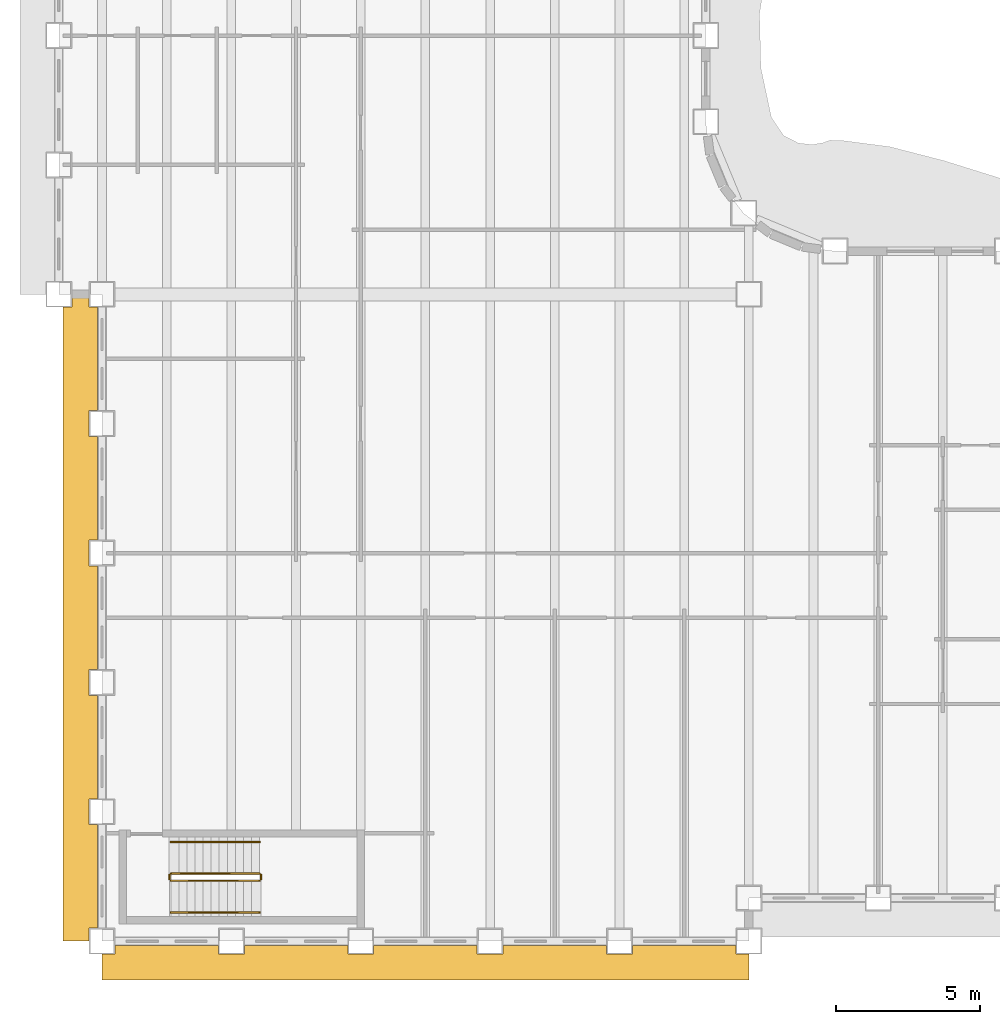
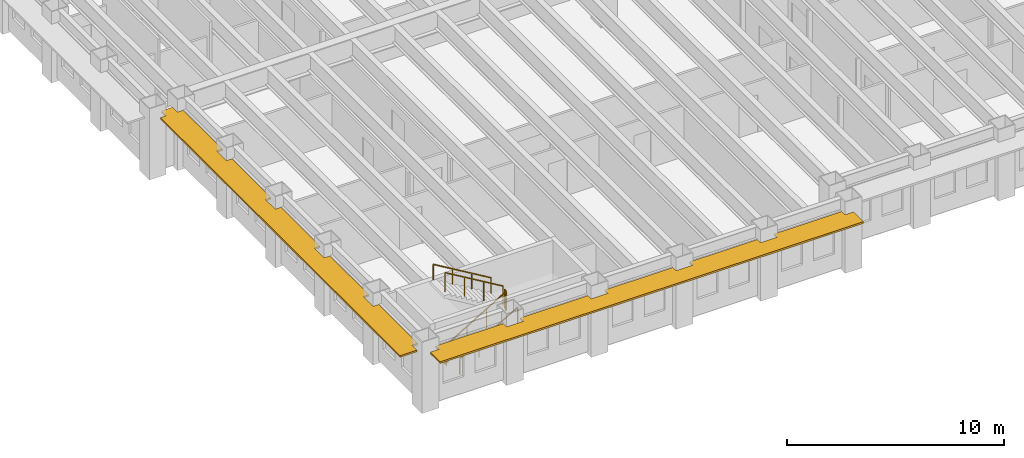
# One storey, part 11 of 16: 6 railings, 2 shading devices.
"""IFC4 building model written with IfcOpenShell, lengths in metres."""

from ifc_helpers import new_model, si_unit, direction, frame, origin, origin_2d, place, context, subcontext, project, spatial, polyline, rectangle, outline, extrude, material, layer, layer_set, type_object, element, save


model = new_model("IFC4")

# Units and contexts
model_context = context("Model", 3, precision=1e-05, world=origin(), true_north=direction((0.0, 1.0)))
body_context = subcontext(model_context, "Body", "Model", "MODEL_VIEW")
ifc_project = project(units=[si_unit("LENGTHUNIT", "METRE"), si_unit("AREAUNIT", "SQUARE_METRE"), si_unit("VOLUMEUNIT", "CUBIC_METRE"), si_unit("PLANEANGLEUNIT", "RADIAN"), si_unit("MASSUNIT", "GRAM", prefix="KILO")], contexts=[model_context])

# Site, building, storey
site_placement = place(None, origin())
site = spatial("IfcSite", under=ifc_project, at=site_placement, CompositionType="ELEMENT")
building_placement = place(site_placement, origin())
building = spatial("IfcBuilding", under=site, at=building_placement, Name="Sennacour Bend Tower", CompositionType="ELEMENT")
storey_placement = place(building_placement, frame((0.0, 0.0, 171.0)))
storey = spatial("IfcBuildingStorey", under=building, at=storey_placement, Name="L39", CompositionType="ELEMENT", Elevation=171.0)

# Railings
ifc_material_1 = material(Name="Stainless steel", Category="steel")
railing_type_1 = type_object("IfcRailingType", Name="RL-GUARD-1100", PredefinedType="GUARDRAIL", material=ifc_material_1)
railing_1_placement = place(storey_placement, frame((2.39990234375, 2.10009765625, 0.166748046875)))
element("IfcRailing", 1, at=railing_1_placement, inside=storey, type_object=railing_type_1, Name="L39 SK1 stair guard 1", PredefinedType="GUARDRAIL", context=body_context, shape_type="SweptSolid", body=[
    extrude(rectangle(XDim=0.048095703125, YDim=0.048095703125, at=origin_2d()), frame((0.0, 0.0, 1.076171875), z_axis=(0.859308565015, 0.0, 0.511457515432), x_axis=(0.0, 1.0, 0.0)), (0.0, 0.0, 1.0), 3.58447265625),
    extrude(rectangle(XDim=0.0419921875, YDim=0.0419921875, at=origin_2d()), origin(), (0.0, 0.0, 1.0), 1.052001953125),
    extrude(rectangle(XDim=0.0419921875, YDim=0.0419921875, at=origin_2d()), frame((1.026611328125, 0.0, 0.611083984375)), (0.0, 0.0, 1.0), 1.052001953125),
    extrude(rectangle(XDim=0.0419921875, YDim=0.0419921875, at=origin_2d()), frame((2.053466796875, 0.0, 1.22216796875)), (0.0, 0.0, 1.0), 1.052001953125),
    extrude(rectangle(XDim=0.0419921875, YDim=0.0419921875, at=origin_2d()), frame((3.080078125, 0.0, 1.833251953125)), (0.0, 0.0, 1.0), 1.052001953125),
])
railing_2_placement = place(storey_placement, frame((5.530029296875, 2.14990234375, 2.0)))
element("IfcRailing", 2, at=railing_2_placement, inside=storey, type_object=railing_type_1, Name="L39 SK1 stair guard 2", PredefinedType="GUARDRAIL", context=body_context, shape_type="SweptSolid", body=[
    extrude(rectangle(XDim=0.048095703125, YDim=0.048095703125, at=origin_2d()), frame((0.0, 0.0, 1.076171875), z_axis=(0.0, 1.0, 0.0), x_axis=(-1.0, 0.0, 0.0)), (0.0, 0.0, 1.0), 0.150146484375),
    extrude(rectangle(XDim=0.0419921875, YDim=0.0419921875, at=origin_2d()), origin(), (0.0, 0.0, 1.0), 1.052001953125),
    extrude(rectangle(XDim=0.0419921875, YDim=0.0419921875, at=origin_2d()), frame((0.0, 0.150146484375, 0.0)), (0.0, 0.0, 1.0), 1.052001953125),
])
railing_3_placement = place(storey_placement, frame((5.47998046875, 2.35009765625, 2.166748046875)))
element("IfcRailing", 3, at=railing_3_placement, inside=storey, type_object=railing_type_1, Name="L39 SK1 stair guard 3", PredefinedType="GUARDRAIL", context=body_context, shape_type="SweptSolid", body=[
    extrude(rectangle(XDim=0.048095703125, YDim=0.048095703125, at=origin_2d()), frame((0.0, 0.0, 1.076171875), z_axis=(-0.859308565015, 0.0, 0.511457515432), x_axis=(0.0, -1.0, 0.0)), (0.0, 0.0, 1.0), 3.58447265625),
    extrude(rectangle(XDim=0.0419921875, YDim=0.0419921875, at=origin_2d()), origin(), (0.0, 0.0, 1.0), 1.052001953125),
    extrude(rectangle(XDim=0.0419921875, YDim=0.0419921875, at=origin_2d()), frame((-1.026611328125, 0.0, 0.611083984375)), (0.0, 0.0, 1.0), 1.052001953125),
    extrude(rectangle(XDim=0.0419921875, YDim=0.0419921875, at=origin_2d()), frame((-2.053466796875, 0.0, 1.22216796875)), (0.0, 0.0, 1.0), 1.052001953125),
    extrude(rectangle(XDim=0.0419921875, YDim=0.0419921875, at=origin_2d()), frame((-3.080078125, 0.0, 1.833251953125)), (0.0, 0.0, 1.0), 1.052001953125),
])
railing_4_placement = place(storey_placement, frame((2.35009765625, 2.14990234375, 0.0)))
element("IfcRailing", 4, at=railing_4_placement, inside=storey, type_object=railing_type_1, Name="L39 SK1 stair guard 4", PredefinedType="GUARDRAIL", context=body_context, shape_type="SweptSolid", body=[
    extrude(rectangle(XDim=0.048095703125, YDim=0.048095703125, at=origin_2d()), frame((0.0, 0.0, 1.076171875), z_axis=(0.0, 1.0, 0.0), x_axis=(-1.0, 0.0, 0.0)), (0.0, 0.0, 1.0), 0.150146484375),
    extrude(rectangle(XDim=0.0419921875, YDim=0.0419921875, at=origin_2d()), origin(), (0.0, 0.0, 1.0), 1.052001953125),
    extrude(rectangle(XDim=0.0419921875, YDim=0.0419921875, at=origin_2d()), frame((0.0, 0.150146484375, 0.0)), (0.0, 0.0, 1.0), 1.052001953125),
])
railing_type_2 = type_object("IfcRailingType", Name="RL-HANDRAIL-900", PredefinedType="HANDRAIL", material=ifc_material_1)
railing_5_placement = place(storey_placement, frame((2.39990234375, 1.0, 0.166748046875)))
element("IfcRailing", 5, at=railing_5_placement, inside=storey, type_object=railing_type_2, Name="L39 SK1 stair handrail 1", PredefinedType="HANDRAIL", context=body_context, shape_type="SweptSolid", body=[
    extrude(rectangle(XDim=0.048095703125, YDim=0.048095703125, at=origin_2d()), frame((0.0, 0.0, 0.8759765625), z_axis=(0.859308565015, 0.0, 0.511457515432), x_axis=(0.0, 1.0, 0.0)), (0.0, 0.0, 1.0), 3.58447265625),
    extrude(rectangle(XDim=0.0419921875, YDim=0.0419921875, at=origin_2d()), origin(), (0.0, 0.0, 1.0), 0.851806640625),
    extrude(rectangle(XDim=0.0419921875, YDim=0.0419921875, at=origin_2d()), frame((1.026611328125, 0.0, 0.611083984375)), (0.0, 0.0, 1.0), 0.851806640625),
    extrude(rectangle(XDim=0.0419921875, YDim=0.0419921875, at=origin_2d()), frame((2.053466796875, 0.0, 1.22216796875)), (0.0, 0.0, 1.0), 0.851806640625),
    extrude(rectangle(XDim=0.0419921875, YDim=0.0419921875, at=origin_2d()), frame((3.080078125, 0.0, 1.833251953125)), (0.0, 0.0, 1.0), 0.851806640625),
])
railing_6_placement = place(storey_placement, frame((5.47998046875, 3.449951171875, 2.166748046875)))
element("IfcRailing", 6, at=railing_6_placement, inside=storey, type_object=railing_type_2, Name="L39 SK1 stair handrail 2", PredefinedType="HANDRAIL", context=body_context, shape_type="SweptSolid", body=[
    extrude(rectangle(XDim=0.048095703125, YDim=0.048095703125, at=origin_2d()), frame((0.0, 0.0, 0.8759765625), z_axis=(-0.859308565015, 0.0, 0.511457515432), x_axis=(0.0, -1.0, 0.0)), (0.0, 0.0, 1.0), 3.58447265625),
    extrude(rectangle(XDim=0.0419921875, YDim=0.0419921875, at=origin_2d()), origin(), (0.0, 0.0, 1.0), 0.851806640625),
    extrude(rectangle(XDim=0.0419921875, YDim=0.0419921875, at=origin_2d()), frame((-1.026611328125, 0.0, 0.611083984375)), (0.0, 0.0, 1.0), 0.851806640625),
    extrude(rectangle(XDim=0.0419921875, YDim=0.0419921875, at=origin_2d()), frame((-2.053466796875, 0.0, 1.22216796875)), (0.0, 0.0, 1.0), 0.851806640625),
    extrude(rectangle(XDim=0.0419921875, YDim=0.0419921875, at=origin_2d()), frame((-3.080078125, 0.0, 1.833251953125)), (0.0, 0.0, 1.0), 0.851806640625),
])

# Shading devices
ifc_material_2 = material(Name="Bronze anodised aluminium", Category="aluminium")
ifc_layer = layer(ifc_material_2, 0.10009765625, Name="Bronze anodised aluminium", Category="aluminium")
ifc_layer_set = layer_set([ifc_layer], Name="Bronze anodised aluminium")
shading_device_type = type_object("IfcShadingDeviceType", Name="SUNSHADE BAND STRAIGHT", PredefinedType="USERDEFINED", material=ifc_layer_set)
shading_device_1_placement = place(storey_placement, frame((0.0, 0.0, 3.049072265625)))
element("IfcShadingDevice", 7, at=shading_device_1_placement, inside=storey, type_object=shading_device_type, Name="Sunshade band L39 K outer face", ObjectType="SUNSHADE", PredefinedType="USERDEFINED", context=body_context, shape_type="SweptSolid", body=[
    extrude(outline(polyline([(4.050048828125, -0.14990234375), (4.050048828125, -0.449951171875), (4.949951171875, -0.449951171875), (4.949951171875, -0.14990234375), (8.550048828125, -0.14990234375), (8.550048828125, -0.449951171875), (9.449951171875, -0.449951171875), (9.449951171875, -0.14990234375), (13.050048828125, -0.14990234375), (13.050048828125, -0.449951171875), (13.949951171875, -0.449951171875), (13.949951171875, -0.14990234375), (17.550048828125, -0.14990234375), (17.550048828125, -0.449951171875), (18.449951171875, -0.449951171875), (18.449951171875, -0.14990234375), (22.050048828125, -0.14990234375), (22.050048828125, -0.449951171875), (22.5, -0.449951171875), (22.5, -1.35009765625), (0.0, -1.35009765625), (0.0, -0.449951171875), (0.449951171875, -0.449951171875), (0.449951171875, -0.14990234375), (4.050048828125, -0.14990234375)])), origin(), (0.0, 0.0, 1.0), 0.099853515625),
])
shading_device_2_placement = place(storey_placement, frame((0.0, 0.0, 3.049072265625)))
element("IfcShadingDevice", 8, at=shading_device_2_placement, inside=storey, type_object=shading_device_type, Name="Sunshade band L39 K outer face", ObjectType="SUNSHADE", PredefinedType="USERDEFINED", context=body_context, shape_type="SweptSolid", body=[
    extrude(outline(polyline([(-0.14990234375, 18.449951171875), (-0.449951171875, 18.449951171875), (-0.449951171875, 17.550048828125), (-0.14990234375, 17.550048828125), (-0.14990234375, 13.949951171875), (-0.449951171875, 13.949951171875), (-0.449951171875, 13.050048828125), (-0.14990234375, 13.050048828125), (-0.14990234375, 9.449951171875), (-0.449951171875, 9.449951171875), (-0.449951171875, 8.550048828125), (-0.14990234375, 8.550048828125), (-0.14990234375, 4.949951171875), (-0.449951171875, 4.949951171875), (-0.449951171875, 4.050048828125), (-0.14990234375, 4.050048828125), (-0.14990234375, 0.449951171875), (-0.449951171875, 0.449951171875), (-0.449951171875, 0.0), (-1.35009765625, 0.0), (-1.35009765625, 22.050048828125), (-1.050048828125, 22.050048828125), (-1.050048828125, 22.5), (-0.449951171875, 22.5), (-0.449951171875, 22.050048828125), (-0.14990234375, 22.050048828125), (-0.14990234375, 18.449951171875)])), origin(), (0.0, 0.0, 1.0), 0.099853515625),
])

save(model, "model.ifc")
